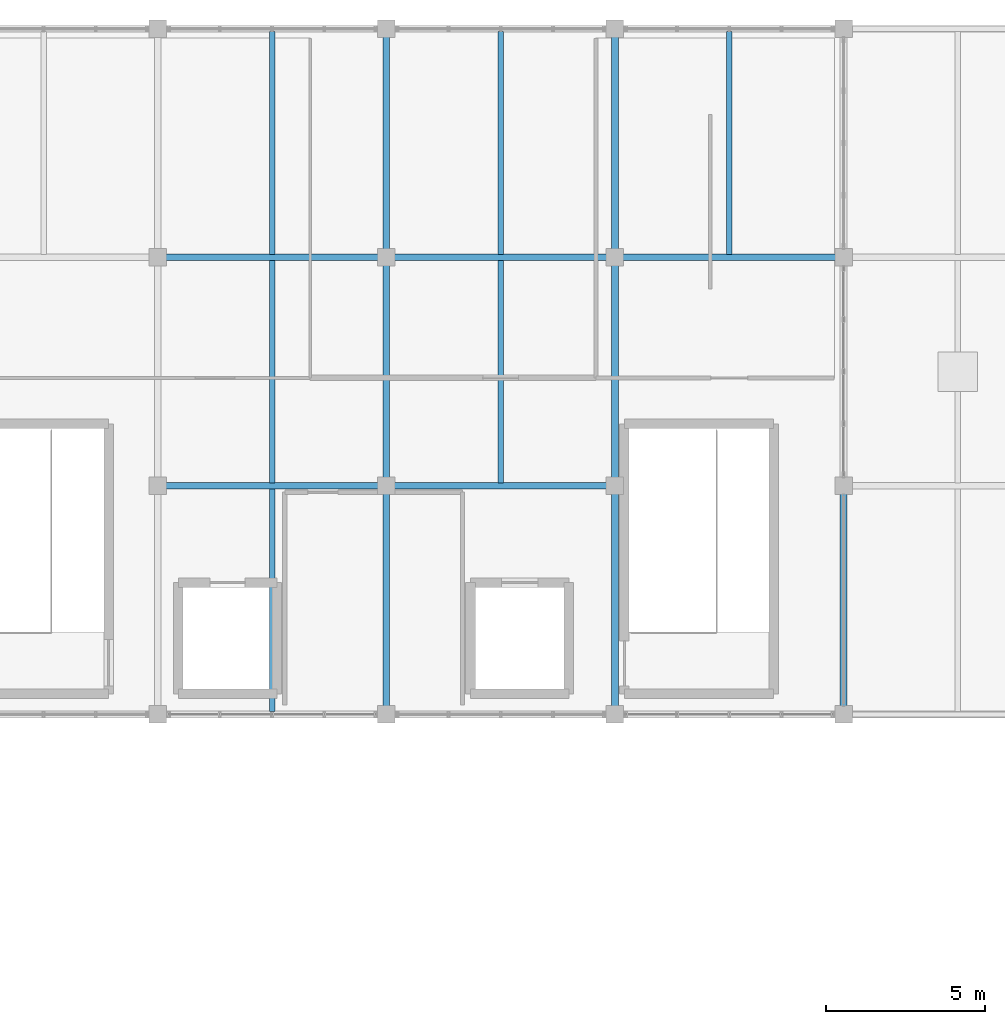
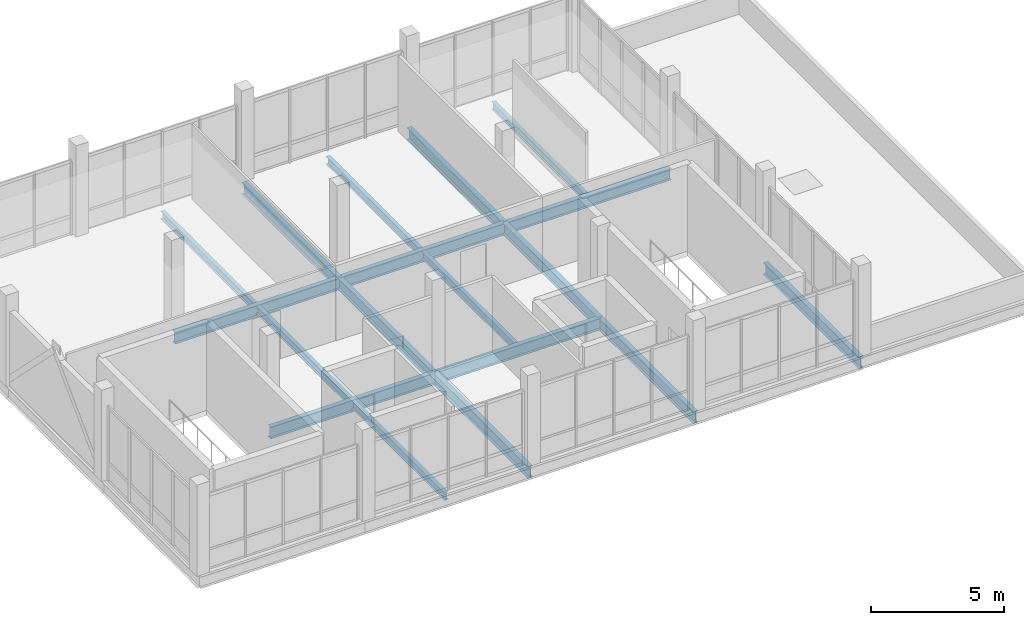
# One storey, part 10 of 28: 18 beams.
"""IFC4 building model written with IfcOpenShell, lengths in metres."""

from ifc_helpers import new_model, si_unit, direction, frame, origin, origin_2d, place, context, subcontext, project, spatial, i_section, extrude, material, material_profile, profile_set, type_object, element, save


model = new_model("IFC4")

# Units and contexts
model_context = context("Model", 3, precision=1e-05, world=origin(), true_north=direction((0.0, 1.0)))
body_context = subcontext(model_context, "Body", "Model", "MODEL_VIEW")
ifc_project = project(units=[si_unit("LENGTHUNIT", "METRE"), si_unit("AREAUNIT", "SQUARE_METRE"), si_unit("VOLUMEUNIT", "CUBIC_METRE"), si_unit("PLANEANGLEUNIT", "RADIAN"), si_unit("MASSUNIT", "GRAM", prefix="KILO")], contexts=[model_context])

# Site, building, storey
site_placement = place(None, origin())
site = spatial("IfcSite", under=ifc_project, at=site_placement, CompositionType="ELEMENT")
building_placement = place(site_placement, origin())
building = spatial("IfcBuilding", under=site, at=building_placement, Name="Yarey Park Central Fire Station", CompositionType="ELEMENT")
storey_placement = place(building_placement, frame((0.0, 0.0, 22.199951171875)))
storey = spatial("IfcBuildingStorey", under=building, at=storey_placement, Name="L06", CompositionType="ELEMENT", Elevation=22.199951171875)

# Beams
ifc_material = material(Name="Steel ASTM A992 Gr. 50", Category="steel")
ifc_material_profile_1 = material_profile(ifc_material, i_section(OverallWidth=0.208984375, OverallDepth=0.532958984375, WebThickness=0.01025390625, FlangeThickness=0.015625, at=origin_2d()), Name="W530x92")
ifc_profile_set_1 = profile_set([ifc_material_profile_1], Name="Steel ASTM A992 Gr. 50")
beam_type_1 = type_object("IfcBeamType", Name="STR_BM_W530", PredefinedType="BEAM", material=ifc_profile_set_1)
beam_1_placement = place(storey_placement, frame((122.39990234375, 100.800048828125, -0.491455078125), z_axis=(1.0, 0.0, 0.0), x_axis=(0.0, 1.0, 0.0)))
element("IfcBeam", 1, at=beam_1_placement, inside=storey, type_object=beam_type_1, Name="BMX L06 Y1008 X1224", PredefinedType="BEAM", context=body_context, shape_type="SweptSolid", body=[
    extrude(i_section(OverallWidth=0.208984375, OverallDepth=0.532958984375, WebThickness=0.01025390625, FlangeThickness=0.015625, at=origin_2d()), origin(), (0.0, 0.0, 1.0), 7.2001953125),
])
beam_2_placement = place(storey_placement, frame((129.60009765625, 100.800048828125, -0.491455078125), z_axis=(1.0, 0.0, 0.0), x_axis=(0.0, 1.0, 0.0)))
element("IfcBeam", 2, at=beam_2_placement, inside=storey, type_object=beam_type_1, Name="BMX L06 Y1008 X1296", PredefinedType="BEAM", context=body_context, shape_type="SweptSolid", body=[
    extrude(i_section(OverallWidth=0.208984375, OverallDepth=0.532958984375, WebThickness=0.01025390625, FlangeThickness=0.015625, at=origin_2d()), origin(), (0.0, 0.0, 1.0), 7.199951171875),
])
beam_3_placement = place(storey_placement, frame((122.39990234375, 108.0, -0.491455078125), z_axis=(1.0, 0.0, 0.0), x_axis=(0.0, 1.0, 0.0)))
element("IfcBeam", 3, at=beam_3_placement, inside=storey, type_object=beam_type_1, Name="BMX L06 Y1080 X1224", PredefinedType="BEAM", context=body_context, shape_type="SweptSolid", body=[
    extrude(i_section(OverallWidth=0.208984375, OverallDepth=0.532958984375, WebThickness=0.01025390625, FlangeThickness=0.015625, at=origin_2d()), origin(), (0.0, 0.0, 1.0), 7.2001953125),
])
for number, where, z_axis, x_axis, name in (
    (4, (129.60009765625, 108.0, -0.491455078125), (1.0, 0.0, 0.0), (0.0, 1.0, 0.0), "BMX L06 Y1080 X1296"),
    (5, (136.800048828125, 108.0, -0.491455078125), (1.0, 0.0, 0.0), (0.0, 1.0, 0.0), "BMX L06 Y1080 X1368"),
    (6, (129.60009765625, 93.60009765625, -0.491455078125), (0.0, 1.0, 0.0), (-1.0, 0.0, 0.0), "BMY L06 X1296 Y936"),
    (7, (129.60009765625, 100.800048828125, -0.491455078125), (0.0, 1.0, 0.0), (-1.0, 0.0, 0.0), "BMY L06 X1296 Y1008"),
    (8, (129.60009765625, 108.0, -0.491455078125), (0.0, 1.0, 0.0), (-1.0, 0.0, 0.0), "BMY L06 X1296 Y1080"),
    (9, (136.800048828125, 93.60009765625, -0.491455078125), (0.0, 1.0, 0.0), (-1.0, 0.0, 0.0), "BMY L06 X1368 Y936"),
    (10, (136.800048828125, 100.800048828125, -0.491455078125), (0.0, 1.0, 0.0), (-1.0, 0.0, 0.0), "BMY L06 X1368 Y1008"),
    (11, (136.800048828125, 108.0, -0.491455078125), (0.0, 1.0, 0.0), (-1.0, 0.0, 0.0), "BMY L06 X1368 Y1080"),
    (12, (144.0, 93.60009765625, -0.491455078125), (0.0, 1.0, 0.0), (-1.0, 0.0, 0.0), "BMY L06 X1440 Y936"),
):
    element("IfcBeam", number, at=place(storey_placement, frame(where, z_axis=z_axis, x_axis=x_axis)), inside=storey, type_object=beam_type_1, Name=name, PredefinedType="BEAM", context=body_context, shape_type="SweptSolid", body=[
        extrude(i_section(OverallWidth=0.208984375, OverallDepth=0.532958984375, WebThickness=0.01025390625, FlangeThickness=0.015625, at=origin_2d()), origin(), (0.0, 0.0, 1.0), 7.199951171875),
    ])
ifc_material_profile_2 = material_profile(ifc_material, i_section(OverallWidth=0.172119140625, OverallDepth=0.35791015625, WebThickness=0.0078125, FlangeThickness=0.01318359375, at=origin_2d()), Name="W360x57")
ifc_profile_set_2 = profile_set([ifc_material_profile_2], Name="Steel ASTM A992 Gr. 50")
beam_type_2 = type_object("IfcBeamType", Name="STR_JST_W360", PredefinedType="JOIST", material=ifc_profile_set_2)
for number, where, z_axis, x_axis, name in (
    (13, (126.0, 93.695068359375, -0.404052734375), (0.0, 1.0, 0.0), (-1.0, 0.0, 0.0), "JST L06 X1260 Y936"),
    (14, (126.0, 100.89501953125, -0.404052734375), (0.0, 1.0, 0.0), (-1.0, 0.0, 0.0), "JST L06 X1260 Y1008"),
    (15, (126.0, 108.094970703125, -0.404052734375), (0.0, 1.0, 0.0), (-1.0, 0.0, 0.0), "JST L06 X1260 Y1080"),
    (16, (133.199951171875, 100.89501953125, -0.404052734375), (0.0, 1.0, 0.0), (-1.0, 0.0, 0.0), "JST L06 X1332 Y1008"),
    (17, (133.199951171875, 108.094970703125, -0.404052734375), (0.0, 1.0, 0.0), (-1.0, 0.0, 0.0), "JST L06 X1332 Y1080"),
    (18, (140.39990234375, 108.094970703125, -0.404052734375), (0.0, 1.0, 0.0), (-1.0, 0.0, 0.0), "JST L06 X1404 Y1080"),
):
    element("IfcBeam", number, at=place(storey_placement, frame(where, z_axis=z_axis, x_axis=x_axis)), inside=storey, type_object=beam_type_2, Name=name, PredefinedType="JOIST", context=body_context, shape_type="SweptSolid", body=[
        extrude(i_section(OverallWidth=0.172119140625, OverallDepth=0.35791015625, WebThickness=0.0078125, FlangeThickness=0.01318359375, at=origin_2d()), origin(), (0.0, 0.0, 1.0), 7.010009765625),
    ])

save(model, "model.ifc")
